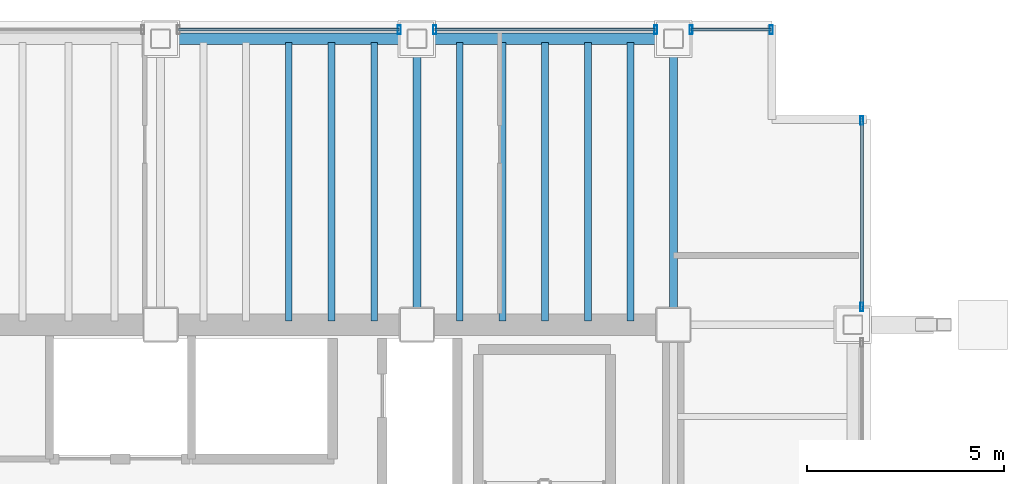
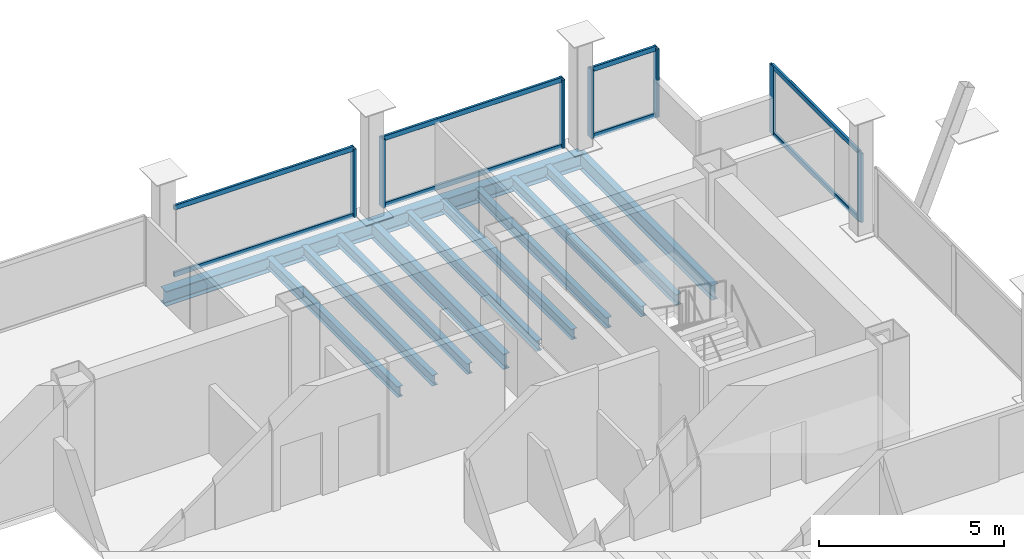
# One storey, part 14 of 19: 15 members, 12 beams, 4 elements without a shape of their own.
"""IFC4 building model written with IfcOpenShell, lengths in metres."""

from ifc_helpers import new_model, si_unit, direction, frame, origin, origin_2d, place, context, subcontext, project, spatial, hollow_rectangle, i_section, extrude, material, material_profile, profile_set, type_object, element, aggregate, save


model = new_model("IFC4")

# Units and contexts
model_context = context("Model", 3, precision=1e-05, world=origin(), true_north=direction((0.0, 1.0)))
body_context = subcontext(model_context, "Body", "Model", "MODEL_VIEW")
ifc_project = project(units=[si_unit("LENGTHUNIT", "METRE"), si_unit("AREAUNIT", "SQUARE_METRE"), si_unit("VOLUMEUNIT", "CUBIC_METRE"), si_unit("PLANEANGLEUNIT", "RADIAN"), si_unit("MASSUNIT", "GRAM", prefix="KILO")], contexts=[model_context])

# Site, building, storey
site_placement = place(None, origin())
site = spatial("IfcSite", under=ifc_project, at=site_placement, CompositionType="ELEMENT")
building_placement = place(site_placement, origin())
building = spatial("IfcBuilding", under=site, at=building_placement, Name="Noeulbin Bourse Tower", CompositionType="ELEMENT")
storey_placement = place(building_placement, frame((0.0, 0.0, 165.60009765625)))
storey = spatial("IfcBuildingStorey", under=building, at=storey_placement, Name="L41", CompositionType="ELEMENT", Elevation=165.60009765625)

# Beams
ifc_material_1 = material(Name="Steel S355", Category="steel")
ifc_material_profile_1 = material_profile(ifc_material_1, i_section(OverallWidth=0.199951171875, OverallDepth=0.5, WebThickness=0.010009765625, FlangeThickness=0.01611328125, FilletRadius=0.02001953125, at=origin_2d()), Name="H-500x200x10x16", Category="LoadBearing")
ifc_profile_set_1 = profile_set([ifc_material_profile_1], Name="Steel S355")
beam_type_1 = type_object("IfcBeamType", Name="BM-GRD-500", PredefinedType="USERDEFINED", material=ifc_profile_set_1)
for number, where, z_axis, x_axis, name in (
    (1, (37.5, 38.300048828125, -0.43017578125), (0.0, 1.0, 0.0), (-1.0, 0.0, 0.0), "Tower Primary Girder NS L41-4.4"),
    (2, (44.0, 38.300048828125, -0.43017578125), (0.0, 1.0, 0.0), (-1.0, 0.0, 0.0), "Tower Primary Girder NS L41-5.4"),
):
    element("IfcBeam", number, at=place(storey_placement, frame(where, z_axis=z_axis, x_axis=x_axis)), inside=storey, type_object=beam_type_1, Name=name, ObjectType="GIRDER", PredefinedType="USERDEFINED", context=body_context, shape_type="SweptSolid", body=[
        extrude(i_section(OverallWidth=0.199951171875, OverallDepth=0.5, WebThickness=0.010009765625, FlangeThickness=0.01611328125, FilletRadius=0.02001953125, at=origin_2d()), origin(), (0.0, 0.0, 1.0), 7.25),
    ])
ifc_material_profile_2 = material_profile(ifc_material_1, i_section(OverallWidth=0.175048828125, OverallDepth=0.35009765625, WebThickness=0.007080078125, FlangeThickness=0.010986328125, FilletRadius=0.013916015625, at=origin_2d()), Name="H-350x175x7x11", Category="LoadBearing")
ifc_profile_set_2 = profile_set([ifc_material_profile_2], Name="Steel S355")
beam_type_2 = type_object("IfcBeamType", Name="BM-JST-350", PredefinedType="JOIST", material=ifc_profile_set_2)
for number, where, z_axis, x_axis, name in (
    (3, (34.25, 38.39990234375, -0.35498046875), (0.0, 1.0, 0.0), (-1.0, 0.0, 0.0), "Tower Composite Joist L41-48"),
    (4, (35.333251953125, 38.39990234375, -0.35498046875), (0.0, 1.0, 0.0), (-1.0, 0.0, 0.0), "Tower Composite Joist L41-51"),
    (5, (36.416748046875, 38.39990234375, -0.35498046875), (0.0, 1.0, 0.0), (-1.0, 0.0, 0.0), "Tower Composite Joist L41-54"),
    (6, (38.583251953125, 38.39990234375, -0.35498046875), (0.0, 1.0, 0.0), (-1.0, 0.0, 0.0), "Tower Composite Joist L41-57"),
    (7, (39.666748046875, 38.39990234375, -0.35498046875), (0.0, 1.0, 0.0), (-1.0, 0.0, 0.0), "Tower Composite Joist L41-60"),
    (8, (40.75, 38.39990234375, -0.35498046875), (0.0, 1.0, 0.0), (-1.0, 0.0, 0.0), "Tower Composite Joist L41-63"),
    (9, (41.833251953125, 38.39990234375, -0.35498046875), (0.0, 1.0, 0.0), (-1.0, 0.0, 0.0), "Tower Composite Joist L41-66"),
    (10, (42.916748046875, 38.39990234375, -0.35498046875), (0.0, 1.0, 0.0), (-1.0, 0.0, 0.0), "Tower Composite Joist L41-69"),
):
    element("IfcBeam", number, at=place(storey_placement, frame(where, z_axis=z_axis, x_axis=x_axis)), inside=storey, type_object=beam_type_2, Name=name, PredefinedType="JOIST", context=body_context, shape_type="SweptSolid", body=[
        extrude(i_section(OverallWidth=0.175048828125, OverallDepth=0.35009765625, WebThickness=0.007080078125, FlangeThickness=0.010986328125, FilletRadius=0.013916015625, at=origin_2d()), origin(), (0.0, 0.0, 1.0), 7.050048828125),
    ])
ifc_material_profile_3 = material_profile(ifc_material_1, i_section(OverallWidth=0.300048828125, OverallDepth=0.488037109375, WebThickness=0.010986328125, FlangeThickness=0.01806640625, FilletRadius=0.02197265625, at=origin_2d()), Name="H-488x300x11x18", Category="LoadBearing")
ifc_profile_set_3 = profile_set([ifc_material_profile_3], Name="Steel S355")
beam_type_3 = type_object("IfcBeamType", Name="BM-SPN-488", PredefinedType="SPANDREL", material=ifc_profile_set_3)
for number, where, z_axis, x_axis, name in (
    (11, (31.0, 45.550048828125, -0.424072265625), (1.0, 0.0, 0.0), (0.0, 1.0, 0.0), "North Spandrel L41-3"),
    (12, (37.5, 45.550048828125, -0.424072265625), (1.0, 0.0, 0.0), (0.0, 1.0, 0.0), "North Spandrel L41-4"),
):
    element("IfcBeam", number, at=place(storey_placement, frame(where, z_axis=z_axis, x_axis=x_axis)), inside=storey, type_object=beam_type_3, Name=name, PredefinedType="SPANDREL", context=body_context, shape_type="SweptSolid", body=[
        extrude(i_section(OverallWidth=0.300048828125, OverallDepth=0.488037109375, WebThickness=0.010986328125, FlangeThickness=0.01806640625, FilletRadius=0.02197265625, at=origin_2d()), origin(), (0.0, 0.0, 1.0), 6.5),
    ])

# Curtain wall, member
ifc_material_2 = material(Name="Dark Tinted Triple Glazing", Category="glass")
curtain_wall_type = type_object("IfcCurtainWallType", Name="CW-SYS-3", PredefinedType="NOTDEFINED", material=ifc_material_2)
curtain_wall_1_placement = place(storey_placement, origin())
curtain_wall_1 = element("IfcCurtainWall", 13, at=curtain_wall_1_placement, inside=storey, type_object=curtain_wall_type, Name="Unitised Curtain Wall CW-L41-N-S4", PredefinedType="NOTDEFINED")
ifc_material_3 = material(Name="Anodised Aluminium 6063-T6", Category="aluminium")
ifc_material_profile_4 = material_profile(ifc_material_3, hollow_rectangle(XDim=0.074951171875, YDim=0.219970703125, WallThickness=0.0048828125, InnerFilletRadius=0.00244140625, OuterFilletRadius=0.0048828125, at=origin_2d()), Name="ALU-MULL-75x220x5", Category="LoadBearing")
ifc_profile_set_4 = profile_set([ifc_material_profile_4], Name="Anodised Aluminium 6063-T6")
member_type_1 = type_object("IfcMemberType", Name="CW-SYS-3-MUL", PredefinedType="MULLION", material=ifc_profile_set_4)
member_1_placement = place(storey_placement, frame((37.050048828125, 45.780029296875, -0.02001953125), z_axis=(0.0, 0.0, 1.0), x_axis=(1.0, 0.0, 0.0)))
member_1 = element("IfcMember", 14, at=member_1_placement, type_object=member_type_1, Name="Curtain Wall Mullion CW-L41-N-S4-M01", PredefinedType="MULLION", context=body_context, shape_type="SweptSolid", body=[
    extrude(hollow_rectangle(XDim=0.074951171875, YDim=0.219970703125, WallThickness=0.0048828125, InnerFilletRadius=0.00244140625, OuterFilletRadius=0.0048828125, at=origin_2d()), origin(), (0.0, 0.0, 1.0), 2.260009765625),
])

# Curtain wall, members
curtain_wall_2_placement = place(storey_placement, origin())
curtain_wall_2 = element("IfcCurtainWall", 15, at=curtain_wall_2_placement, inside=storey, type_object=curtain_wall_type, Name="Unitised Curtain Wall CW-L41-N-S5", PredefinedType="NOTDEFINED")
member_2_placement = place(storey_placement, frame((37.949951171875, 45.780029296875, -0.02001953125), z_axis=(0.0, 0.0, 1.0), x_axis=(1.0, 0.0, 0.0)))
member_2 = element("IfcMember", 16, at=member_2_placement, type_object=member_type_1, Name="Curtain Wall Mullion CW-L41-N-S5-M00", PredefinedType="MULLION", context=body_context, shape_type="SweptSolid", body=[
    extrude(hollow_rectangle(XDim=0.074951171875, YDim=0.219970703125, WallThickness=0.0048828125, InnerFilletRadius=0.00244140625, OuterFilletRadius=0.0048828125, at=origin_2d()), origin(), (0.0, 0.0, 1.0), 2.260009765625),
])
member_3_placement = place(storey_placement, frame((43.550048828125, 45.780029296875, -0.02001953125), z_axis=(0.0, 0.0, 1.0), x_axis=(1.0, 0.0, 0.0)))
member_3 = element("IfcMember", 17, at=member_3_placement, type_object=member_type_1, Name="Curtain Wall Mullion CW-L41-N-S5-M01", PredefinedType="MULLION", context=body_context, shape_type="SweptSolid", body=[
    extrude(hollow_rectangle(XDim=0.074951171875, YDim=0.219970703125, WallThickness=0.0048828125, InnerFilletRadius=0.00244140625, OuterFilletRadius=0.0048828125, at=origin_2d()), origin(), (0.0, 0.0, 1.0), 2.260009765625),
])

curtain_wall_3_placement = place(storey_placement, origin())
curtain_wall_3 = element("IfcCurtainWall", 18, at=curtain_wall_3_placement, inside=storey, type_object=curtain_wall_type, Name="Unitised Curtain Wall CW-L41-N-S6", PredefinedType="NOTDEFINED")
member_4_placement = place(storey_placement, frame((44.449951171875, 45.780029296875, -0.02001953125), z_axis=(0.0, 0.0, 1.0), x_axis=(1.0, 0.0, 0.0)))
member_4 = element("IfcMember", 19, at=member_4_placement, type_object=member_type_1, Name="Curtain Wall Mullion CW-L41-N-S6-M00", PredefinedType="MULLION", context=body_context, shape_type="SweptSolid", body=[
    extrude(hollow_rectangle(XDim=0.074951171875, YDim=0.219970703125, WallThickness=0.0048828125, InnerFilletRadius=0.00244140625, OuterFilletRadius=0.0048828125, at=origin_2d()), origin(), (0.0, 0.0, 1.0), 2.260009765625),
])
member_5_placement = place(storey_placement, frame((46.47998046875, 45.780029296875, -0.02001953125), z_axis=(0.0, 0.0, 1.0), x_axis=(1.0, 0.0, 0.0)))
member_5 = element("IfcMember", 20, at=member_5_placement, type_object=member_type_1, Name="Curtain Wall Mullion CW-L41-N-S6-M01", PredefinedType="MULLION", context=body_context, shape_type="SweptSolid", body=[
    extrude(hollow_rectangle(XDim=0.074951171875, YDim=0.219970703125, WallThickness=0.0048828125, InnerFilletRadius=0.00244140625, OuterFilletRadius=0.0048828125, at=origin_2d()), origin(), (0.0, 0.0, 1.0), 2.260009765625),
])

curtain_wall_4_placement = place(storey_placement, origin())
curtain_wall_4 = element("IfcCurtainWall", 21, at=curtain_wall_4_placement, inside=storey, type_object=curtain_wall_type, Name="Unitised Curtain Wall CW-L41-E-S3", PredefinedType="NOTDEFINED")
member_6_placement = place(storey_placement, frame((48.780029296875, 38.75, -0.02001953125), z_axis=(0.0, 0.0, 1.0), x_axis=(1.0, 0.0, 0.0)))
member_6 = element("IfcMember", 22, at=member_6_placement, type_object=member_type_1, Name="Curtain Wall Mullion CW-L41-E-S3-M00", PredefinedType="MULLION", context=body_context, shape_type="SweptSolid", body=[
    extrude(hollow_rectangle(XDim=0.074951171875, YDim=0.219970703125, WallThickness=0.0048828125, InnerFilletRadius=0.00244140625, OuterFilletRadius=0.0048828125, at=origin_2d()), origin(), (0.0, 0.0, 1.0), 2.260009765625),
])
member_7_placement = place(storey_placement, frame((48.780029296875, 43.47998046875, -0.02001953125), z_axis=(0.0, 0.0, 1.0), x_axis=(1.0, 0.0, 0.0)))
member_7 = element("IfcMember", 23, at=member_7_placement, type_object=member_type_1, Name="Curtain Wall Mullion CW-L41-E-S3-M01", PredefinedType="MULLION", context=body_context, shape_type="SweptSolid", body=[
    extrude(hollow_rectangle(XDim=0.074951171875, YDim=0.219970703125, WallThickness=0.0048828125, InnerFilletRadius=0.00244140625, OuterFilletRadius=0.0048828125, at=origin_2d()), origin(), (0.0, 0.0, 1.0), 2.260009765625),
])

# Member
ifc_material_profile_5 = material_profile(ifc_material_3, hollow_rectangle(XDim=0.074951171875, YDim=0.159912109375, WallThickness=0.0048828125, InnerFilletRadius=0.00244140625, OuterFilletRadius=0.0048828125, at=origin_2d()), Name="ALU-TRAN-75x160x5", Category="LoadBearing")
ifc_profile_set_5 = profile_set([ifc_material_profile_5], Name="Anodised Aluminium 6063-T6")
member_type_2 = type_object("IfcMemberType", Name="CW-SYS-3-TRN", PredefinedType="USERDEFINED", material=ifc_profile_set_5)
member_8_placement = place(storey_placement, frame((31.4599609375, 45.780029296875, 0.010009765625), z_axis=(1.0, 0.0, 0.0), x_axis=(0.0, 1.0, 0.0)))
member_8 = element("IfcMember", 24, at=member_8_placement, type_object=member_type_2, Name="Curtain Wall Transom CW-L41-N-S4-T00", ObjectType="TRANSOM", PredefinedType="USERDEFINED", context=body_context, shape_type="SweptSolid", body=[
    extrude(hollow_rectangle(XDim=0.074951171875, YDim=0.159912109375, WallThickness=0.0048828125, InnerFilletRadius=0.00244140625, OuterFilletRadius=0.0048828125, at=origin_2d()), origin(), (0.0, 0.0, 1.0), 5.580078125),
])

member_9_placement = place(storey_placement, frame((31.4599609375, 45.780029296875, 2.2099609375), z_axis=(1.0, 0.0, 0.0), x_axis=(0.0, 1.0, 0.0)))
member_9 = element("IfcMember", 25, at=member_9_placement, type_object=member_type_2, Name="Curtain Wall Transom CW-L41-N-S4-T01", ObjectType="TRANSOM", PredefinedType="USERDEFINED", context=body_context, shape_type="SweptSolid", body=[
    extrude(hollow_rectangle(XDim=0.074951171875, YDim=0.159912109375, WallThickness=0.0048828125, InnerFilletRadius=0.00244140625, OuterFilletRadius=0.0048828125, at=origin_2d()), origin(), (0.0, 0.0, 1.0), 5.580078125),
])

aggregate(curtain_wall_1, [member_1, member_8, member_9])

member_10_placement = place(storey_placement, frame((37.9599609375, 45.780029296875, 0.010009765625), z_axis=(1.0, 0.0, 0.0), x_axis=(0.0, 1.0, 0.0)))
member_10 = element("IfcMember", 26, at=member_10_placement, type_object=member_type_2, Name="Curtain Wall Transom CW-L41-N-S5-T00", ObjectType="TRANSOM", PredefinedType="USERDEFINED", context=body_context, shape_type="SweptSolid", body=[
    extrude(hollow_rectangle(XDim=0.074951171875, YDim=0.159912109375, WallThickness=0.0048828125, InnerFilletRadius=0.00244140625, OuterFilletRadius=0.0048828125, at=origin_2d()), origin(), (0.0, 0.0, 1.0), 5.580078125),
])

member_11_placement = place(storey_placement, frame((37.9599609375, 45.780029296875, 2.2099609375), z_axis=(1.0, 0.0, 0.0), x_axis=(0.0, 1.0, 0.0)))
member_11 = element("IfcMember", 27, at=member_11_placement, type_object=member_type_2, Name="Curtain Wall Transom CW-L41-N-S5-T01", ObjectType="TRANSOM", PredefinedType="USERDEFINED", context=body_context, shape_type="SweptSolid", body=[
    extrude(hollow_rectangle(XDim=0.074951171875, YDim=0.159912109375, WallThickness=0.0048828125, InnerFilletRadius=0.00244140625, OuterFilletRadius=0.0048828125, at=origin_2d()), origin(), (0.0, 0.0, 1.0), 5.580078125),
])

aggregate(curtain_wall_2, [member_2, member_3, member_10, member_11])

member_12_placement = place(storey_placement, frame((44.4599609375, 45.780029296875, 0.010009765625), z_axis=(1.0, 0.0, 0.0), x_axis=(0.0, 1.0, 0.0)))
member_12 = element("IfcMember", 28, at=member_12_placement, type_object=member_type_2, Name="Curtain Wall Transom CW-L41-N-S6-T00", ObjectType="TRANSOM", PredefinedType="USERDEFINED", context=body_context, shape_type="SweptSolid", body=[
    extrude(hollow_rectangle(XDim=0.074951171875, YDim=0.159912109375, WallThickness=0.0048828125, InnerFilletRadius=0.00244140625, OuterFilletRadius=0.0048828125, at=origin_2d()), origin(), (0.0, 0.0, 1.0), 2.010009765625),
])

member_13_placement = place(storey_placement, frame((44.4599609375, 45.780029296875, 2.2099609375), z_axis=(1.0, 0.0, 0.0), x_axis=(0.0, 1.0, 0.0)))
member_13 = element("IfcMember", 29, at=member_13_placement, type_object=member_type_2, Name="Curtain Wall Transom CW-L41-N-S6-T01", ObjectType="TRANSOM", PredefinedType="USERDEFINED", context=body_context, shape_type="SweptSolid", body=[
    extrude(hollow_rectangle(XDim=0.074951171875, YDim=0.159912109375, WallThickness=0.0048828125, InnerFilletRadius=0.00244140625, OuterFilletRadius=0.0048828125, at=origin_2d()), origin(), (0.0, 0.0, 1.0), 2.010009765625),
])

aggregate(curtain_wall_3, [member_4, member_5, member_12, member_13])

member_14_placement = place(storey_placement, frame((48.780029296875, 38.760009765625, 0.010009765625), z_axis=(0.0, 1.0, 0.0), x_axis=(-1.0, 0.0, 0.0)))
member_14 = element("IfcMember", 30, at=member_14_placement, type_object=member_type_2, Name="Curtain Wall Transom CW-L41-E-S3-T00", ObjectType="TRANSOM", PredefinedType="USERDEFINED", context=body_context, shape_type="SweptSolid", body=[
    extrude(hollow_rectangle(XDim=0.074951171875, YDim=0.159912109375, WallThickness=0.0048828125, InnerFilletRadius=0.00244140625, OuterFilletRadius=0.0048828125, at=origin_2d()), origin(), (0.0, 0.0, 1.0), 4.7099609375),
])

member_15_placement = place(storey_placement, frame((48.780029296875, 38.760009765625, 2.2099609375), z_axis=(0.0, 1.0, 0.0), x_axis=(-1.0, 0.0, 0.0)))
member_15 = element("IfcMember", 31, at=member_15_placement, type_object=member_type_2, Name="Curtain Wall Transom CW-L41-E-S3-T01", ObjectType="TRANSOM", PredefinedType="USERDEFINED", context=body_context, shape_type="SweptSolid", body=[
    extrude(hollow_rectangle(XDim=0.074951171875, YDim=0.159912109375, WallThickness=0.0048828125, InnerFilletRadius=0.00244140625, OuterFilletRadius=0.0048828125, at=origin_2d()), origin(), (0.0, 0.0, 1.0), 4.7099609375),
])

aggregate(curtain_wall_4, [member_6, member_7, member_14, member_15])

save(model, "model.ifc")
